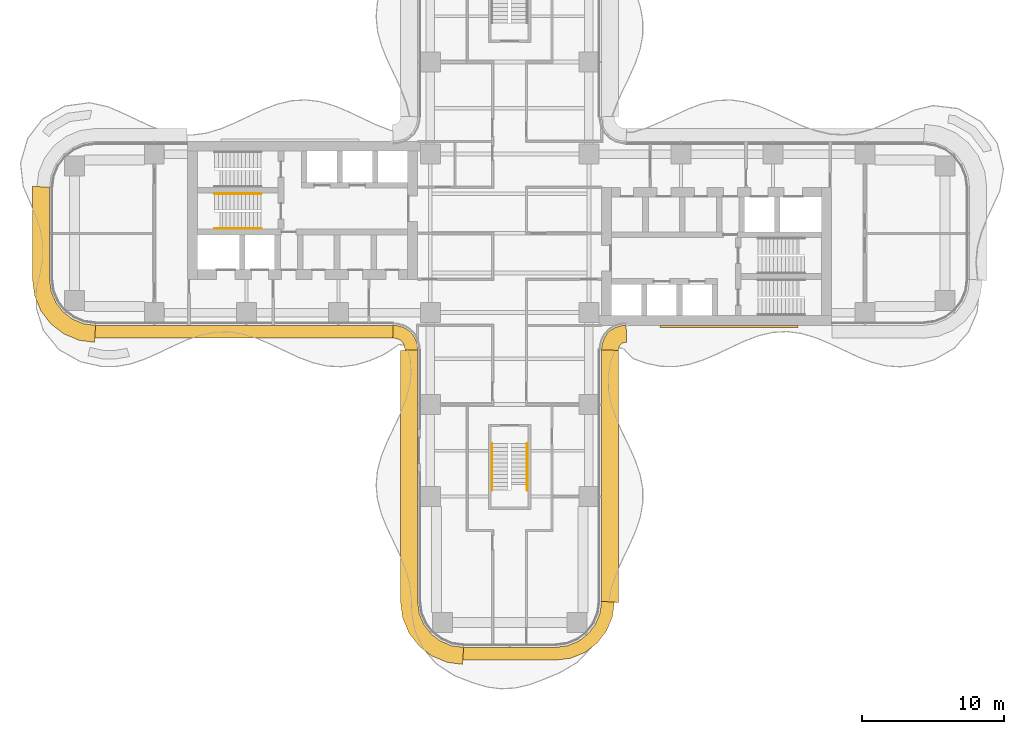
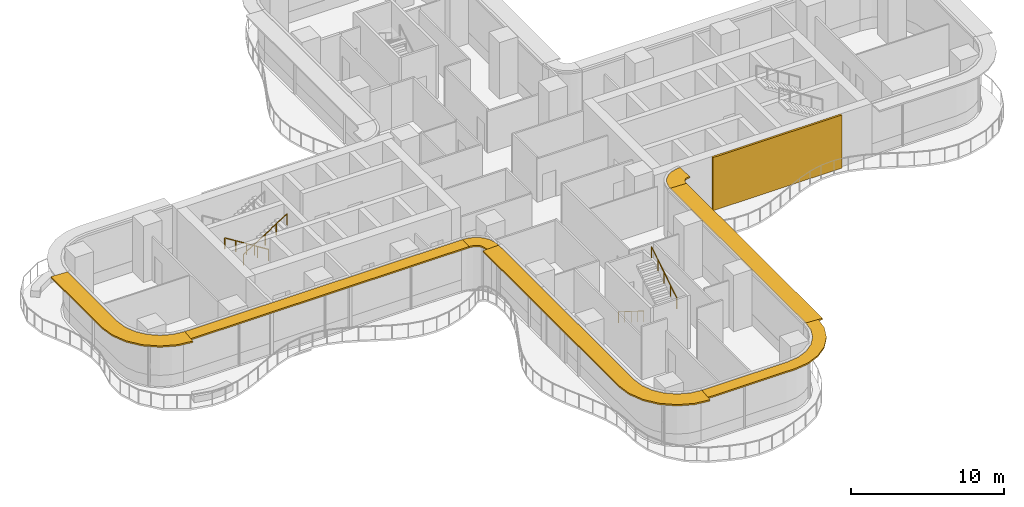
# One storey, part 21 of 22: 7 shading devices, 4 railings, 1 covering.
"""IFC4 building model written with IfcOpenShell, lengths in metres."""

from ifc_helpers import new_model, si_unit, direction, frame, origin, origin_2d, place, context, subcontext, project, spatial, polyline, circle, outline, extrude, source, transform, mapped, material, layer, layer_set, type_object, element, save


model = new_model("IFC4")

# Units and contexts
model_context = context("Model", 3, precision=1e-05, world=origin(), true_north=direction((0.0, 1.0)))
body_context = subcontext(model_context, "Body", "Model", "MODEL_VIEW")
ifc_project = project(units=[si_unit("LENGTHUNIT", "METRE"), si_unit("AREAUNIT", "SQUARE_METRE"), si_unit("VOLUMEUNIT", "CUBIC_METRE"), si_unit("PLANEANGLEUNIT", "RADIAN"), si_unit("MASSUNIT", "GRAM", prefix="KILO")], contexts=[model_context])

# Site, building, storey
site_placement = place(None, origin())
site = spatial("IfcSite", under=ifc_project, at=site_placement, CompositionType="ELEMENT")
building_placement = place(site_placement, origin())
building = spatial("IfcBuilding", under=site, at=building_placement, Name="Trellis Farm Tower", CompositionType="ELEMENT")
storey_placement = place(building_placement, frame((0.0, 0.0, 65.5)))
storey = spatial("IfcBuildingStorey", under=building, at=storey_placement, Name="L13", CompositionType="ELEMENT", Elevation=65.5)

# Railings
ifc_material_1 = material(Name="Stainless steel", Category="steel")
railing_type = type_object("IfcRailingType", Name="STAIR HANDRAIL 900", PredefinedType="HANDRAIL", material=ifc_material_1)
shared_shape_1 = source(origin(), body_context, "Body", "SweptSolid", [
    extrude(circle(Radius=0.02392578125, at=origin_2d()), frame((0.0, 0.0, 0.8759765625), z_axis=(0.0, 0.846319618018, 0.532675421018), x_axis=(-1.0, 0.0, 0.0)), (0.0, 0.0, 1.0), 3.89892578125),
    extrude(circle(Radius=0.02099609375, at=origin_2d()), origin(), (0.0, 0.0, 1.0), 0.851806640625),
    extrude(circle(Radius=0.02099609375, at=origin_2d()), frame((0.0, 0.824951171875, 0.519287109375)), (0.0, 0.0, 1.0), 0.851806640625),
    extrude(circle(Radius=0.02099609375, at=origin_2d()), frame((0.0, 1.64990234375, 1.03857421875)), (0.0, 0.0, 1.0), 0.851806640625),
    extrude(circle(Radius=0.02099609375, at=origin_2d()), frame((0.0, 2.474853515625, 1.5576171875)), (0.0, 0.0, 1.0), 0.851806640625),
    extrude(circle(Radius=0.02099609375, at=origin_2d()), frame((0.0, 3.2998046875, 2.076904296875)), (0.0, 0.0, 1.0), 0.851806640625),
])
railing_1_placement = place(storey_placement, frame((1.25, -18.14990234375, 2.423095703125)))
element("IfcRailing", 1, at=railing_1_placement, inside=storey, type_object=railing_type, Name="Stair handrail", PredefinedType="HANDRAIL", context=body_context, shape_type="MappedRepresentation", body=[
    mapped(shared_shape_1, transform((0.0, 0.0, 0.0))),
])
shared_shape_2 = source(origin(), body_context, "Body", "SweptSolid", [
    extrude(circle(Radius=0.02392578125, at=origin_2d()), frame((0.0, 0.0, 0.8759765625), z_axis=(0.0, -0.846319618018, 0.532675421018), x_axis=(1.0, 0.0, 0.0)), (0.0, 0.0, 1.0), 3.89892578125),
    extrude(circle(Radius=0.02099609375, at=origin_2d()), origin(), (0.0, 0.0, 1.0), 0.851806640625),
    extrude(circle(Radius=0.02099609375, at=origin_2d()), frame((0.0, -0.824951171875, 0.519287109375)), (0.0, 0.0, 1.0), 0.851806640625),
    extrude(circle(Radius=0.02099609375, at=origin_2d()), frame((0.0, -1.64990234375, 1.03857421875)), (0.0, 0.0, 1.0), 0.851806640625),
    extrude(circle(Radius=0.02099609375, at=origin_2d()), frame((0.0, -2.474853515625, 1.5576171875)), (0.0, 0.0, 1.0), 0.851806640625),
    extrude(circle(Radius=0.02099609375, at=origin_2d()), frame((0.0, -3.2998046875, 2.076904296875)), (0.0, 0.0, 1.0), 0.851806640625),
])
railing_2_placement = place(storey_placement, frame((-1.25, -14.85009765625, 0.173095703125)))
element("IfcRailing", 2, at=railing_2_placement, inside=storey, type_object=railing_type, Name="Stair handrail", PredefinedType="HANDRAIL", context=body_context, shape_type="MappedRepresentation", body=[
    mapped(shared_shape_2, transform((0.0, 0.0, 0.0))),
])
shared_shape_3 = source(origin(), body_context, "Body", "SweptSolid", [
    extrude(circle(Radius=0.02392578125, at=origin_2d()), frame((0.0, 0.0, 0.8759765625), z_axis=(0.846337383501, 0.0, 0.532647194011), x_axis=(0.0, 1.0, 0.0)), (0.0, 0.0, 1.0), 3.899169921875),
    extrude(circle(Radius=0.02099609375, at=origin_2d()), origin(), (0.0, 0.0, 1.0), 0.851806640625),
    extrude(circle(Radius=0.02099609375, at=origin_2d()), frame((0.824951171875, 0.0, 0.519287109375)), (0.0, 0.0, 1.0), 0.851806640625),
    extrude(circle(Radius=0.02099609375, at=origin_2d()), frame((1.64990234375, 0.0, 1.03857421875)), (0.0, 0.0, 1.0), 0.851806640625),
    extrude(circle(Radius=0.02099609375, at=origin_2d()), frame((2.47509765625, 0.0, 1.5576171875)), (0.0, 0.0, 1.0), 0.851806640625),
    extrude(circle(Radius=0.02099609375, at=origin_2d()), frame((3.300048828125, 0.0, 2.076904296875)), (0.0, 0.0, 1.0), 0.851806640625),
])
railing_3_placement = place(storey_placement, frame((-20.85009765625, 0.35009765625, 2.423095703125)))
element("IfcRailing", 3, at=railing_3_placement, inside=storey, type_object=railing_type, Name="Stair handrail", PredefinedType="HANDRAIL", context=body_context, shape_type="MappedRepresentation", body=[
    mapped(shared_shape_3, transform((0.0, 0.0, 0.0))),
])
shared_shape_4 = source(origin(), body_context, "Body", "SweptSolid", [
    extrude(circle(Radius=0.02392578125, at=origin_2d()), frame((0.0, 0.0, 0.8759765625), z_axis=(-0.846337383501, 0.0, 0.532647194011), x_axis=(0.0, -1.0, 0.0)), (0.0, 0.0, 1.0), 3.899169921875),
    extrude(circle(Radius=0.02099609375, at=origin_2d()), origin(), (0.0, 0.0, 1.0), 0.851806640625),
    extrude(circle(Radius=0.02099609375, at=origin_2d()), frame((-0.824951171875, 0.0, 0.519287109375)), (0.0, 0.0, 1.0), 0.851806640625),
    extrude(circle(Radius=0.02099609375, at=origin_2d()), frame((-1.64990234375, 0.0, 1.03857421875)), (0.0, 0.0, 1.0), 0.851806640625),
    extrude(circle(Radius=0.02099609375, at=origin_2d()), frame((-2.47509765625, 0.0, 1.5576171875)), (0.0, 0.0, 1.0), 0.851806640625),
    extrude(circle(Radius=0.02099609375, at=origin_2d()), frame((-3.300048828125, 0.0, 2.076904296875)), (0.0, 0.0, 1.0), 0.851806640625),
])
railing_4_placement = place(storey_placement, frame((-17.550048828125, 2.800048828125, 0.173095703125)))
element("IfcRailing", 4, at=railing_4_placement, inside=storey, type_object=railing_type, Name="Stair handrail", PredefinedType="HANDRAIL", context=body_context, shape_type="MappedRepresentation", body=[
    mapped(shared_shape_4, transform((0.0, 0.0, 0.0))),
])

# Shading devices
ifc_material_2 = material(Name="Aluminium extrusion 6063-T6", Category="aluminium")
ifc_layer_1 = layer(ifc_material_2, 0.1201171875)
ifc_layer_set_1 = layer_set([ifc_layer_1], Name="SUNSHADE BLADE 900")
shading_device_type_1 = type_object("IfcShadingDeviceType", Name="SUNSHADE BLADE 900", PredefinedType="USERDEFINED", material=ifc_layer_set_1)
shared_shape_5 = source(origin(), body_context, "Body", "SweptSolid", [
    extrude(outline(polyline([(-29.30908203125, -7.39990234375), (-8.2607421875, -7.39990234375), (-8.2314453125, -6.5), (-29.25, -6.5), (-29.30908203125, -7.39990234375)])), origin(), (0.0, 0.0, 1.0), 0.119873046875),
])
placement = place(storey_placement, frame((0.0, 0.0, 4.090087890625)))
element("IfcShadingDevice", 5, at=placement, inside=storey, type_object=shading_device_type_1, Name="SD1 001", ObjectType="SUNSHADE", PredefinedType="USERDEFINED", context=body_context, shape_type="MappedRepresentation", body=[
    mapped(shared_shape_5, transform((0.0, 0.0, 0.0))),
])
shared_shape_6 = source(origin(), body_context, "Body", "SweptSolid", [
    extrude(outline(polyline([(-8.2607421875, -7.39990234375), (-8.107666015625, -7.409912109375), (-8.091552734375, -7.412109375), (-7.85595703125, -7.475341796875), (-7.697021484375, -7.567138671875), (-7.567138671875, -7.697021484375), (-7.475341796875, -7.85595703125), (-7.412109375, -8.091552734375), (-7.409912109375, -8.107666015625), (-7.39990234375, -8.2607421875), (-6.5, -8.2314453125), (-6.513916015625, -8.01953125), (-6.527587890625, -7.91552734375), (-6.63671875, -7.508544921875), (-6.846923828125, -7.144287109375), (-7.144287109375, -6.846923828125), (-7.508544921875, -6.63671875), (-7.91552734375, -6.527587890625), (-8.01953125, -6.513916015625), (-8.2314453125, -6.5), (-8.2607421875, -7.39990234375)])), origin(), (0.0, 0.0, 1.0), 0.119873046875),
])
element("IfcShadingDevice", 6, at=placement, inside=storey, type_object=shading_device_type_1, Name="SD1 002", ObjectType="SUNSHADE", PredefinedType="USERDEFINED", context=body_context, shape_type="MappedRepresentation", body=[
    mapped(shared_shape_6, transform((0.0, 0.0, 0.0))),
])
ifc_layer_2 = layer(ifc_material_2, 0.1201171875)
ifc_layer_set_2 = layer_set([ifc_layer_2], Name="SUNSHADE BLADE 1200")
shading_device_type_2 = type_object("IfcShadingDeviceType", Name="SUNSHADE BLADE 1200", PredefinedType="USERDEFINED", material=ifc_layer_set_2)
shared_shape_7 = source(origin(), body_context, "Body", "SweptSolid", [
    extrude(outline(polyline([(-7.699951171875, -8.270751953125), (-7.699951171875, -26.07861328125), (-7.558349609375, -27.154541015625), (-7.11279296875, -28.230224609375), (-6.404052734375, -29.154052734375), (-5.480224609375, -29.86279296875), (-4.404541015625, -30.308349609375), (-3.32861328125, -30.449951171875), (-3.25, -29.25), (-4.091064453125, -29.13916015625), (-4.875, -28.814697265625), (-5.548095703125, -28.298095703125), (-6.064697265625, -27.625), (-6.38916015625, -26.841064453125), (-6.5, -26.0), (-6.5, -8.2314453125), (-7.699951171875, -8.270751953125)])), origin(), (0.0, 0.0, 1.0), 0.119873046875),
])
element("IfcShadingDevice", 7, at=placement, inside=storey, type_object=shading_device_type_2, Name="SD2 003", ObjectType="SUNSHADE", PredefinedType="USERDEFINED", context=body_context, shape_type="MappedRepresentation", body=[
    mapped(shared_shape_7, transform((0.0, 0.0, 0.0))),
])
shared_shape_8 = source(origin(), body_context, "Body", "SweptSolid", [
    extrude(outline(polyline([(-3.30908203125, -30.14990234375), (3.30908203125, -30.14990234375), (4.326171875, -30.01611328125), (5.328857421875, -29.600830078125), (6.18994140625, -28.93994140625), (6.850830078125, -28.078857421875), (7.26611328125, -27.076171875), (7.39990234375, -26.05908203125), (6.5, -26.0), (6.38916015625, -26.841064453125), (6.064697265625, -27.625), (5.548095703125, -28.298095703125), (4.875, -28.814697265625), (4.091064453125, -29.13916015625), (3.25, -29.25), (-3.25, -29.25), (-3.30908203125, -30.14990234375)])), origin(), (0.0, 0.0, 1.0), 0.119873046875),
])
element("IfcShadingDevice", 8, at=placement, inside=storey, type_object=shading_device_type_1, Name="SD1 004", ObjectType="SUNSHADE", PredefinedType="USERDEFINED", context=body_context, shape_type="MappedRepresentation", body=[
    mapped(shared_shape_8, transform((0.0, 0.0, 0.0))),
])
shared_shape_9 = source(origin(), body_context, "Body", "SweptSolid", [
    extrude(outline(polyline([(7.699951171875, -26.07861328125), (7.699951171875, -8.270751953125), (6.5, -8.2314453125), (6.5, -26.0), (7.699951171875, -26.07861328125)])), origin(), (0.0, 0.0, 1.0), 0.119873046875),
])
element("IfcShadingDevice", 9, at=placement, inside=storey, type_object=shading_device_type_2, Name="SD2 005", ObjectType="SUNSHADE", PredefinedType="USERDEFINED", context=body_context, shape_type="MappedRepresentation", body=[
    mapped(shared_shape_9, transform((0.0, 0.0, 0.0))),
])
shared_shape_10 = source(origin(), body_context, "Body", "SweptSolid", [
    extrude(outline(polyline([(7.699951171875, -8.270751953125), (7.708740234375, -8.13720703125), (7.70703125, -8.150146484375), (7.7548828125, -7.9716796875), (7.80712890625, -7.881103515625), (7.881103515625, -7.80712890625), (7.9716796875, -7.7548828125), (8.150146484375, -7.70703125), (8.13720703125, -7.708740234375), (8.270751953125, -7.699951171875), (8.2314453125, -6.5), (8.01953125, -6.513916015625), (7.91552734375, -6.527587890625), (7.508544921875, -6.63671875), (7.144287109375, -6.846923828125), (6.846923828125, -7.144287109375), (6.63671875, -7.508544921875), (6.527587890625, -7.91552734375), (6.513916015625, -8.01953125), (6.5, -8.2314453125), (7.699951171875, -8.270751953125)])), origin(), (0.0, 0.0, 1.0), 0.119873046875),
])
element("IfcShadingDevice", 10, at=placement, inside=storey, type_object=shading_device_type_2, Name="SD2 006", ObjectType="SUNSHADE", PredefinedType="USERDEFINED", context=body_context, shape_type="MappedRepresentation", body=[
    mapped(shared_shape_10, transform((0.0, 0.0, 0.0))),
])
shared_shape_11 = source(origin(), body_context, "Body", "SweptSolid", [
    extrude(outline(polyline([(-33.699951171875, 3.32861328125), (-33.699951171875, -3.32861328125), (-33.558349609375, -4.404541015625), (-33.11279296875, -5.480224609375), (-32.404052734375, -6.404052734375), (-31.480224609375, -7.11279296875), (-30.404541015625, -7.558349609375), (-29.32861328125, -7.699951171875), (-29.25, -6.5), (-30.091064453125, -6.38916015625), (-30.875, -6.064697265625), (-31.548095703125, -5.548095703125), (-32.064697265625, -4.875), (-32.38916015625, -4.091064453125), (-32.5, -3.25), (-32.5, 3.25), (-33.699951171875, 3.32861328125)])), origin(), (0.0, 0.0, 1.0), 0.119873046875),
])
element("IfcShadingDevice", 11, at=placement, inside=storey, type_object=shading_device_type_2, Name="SD2 016", ObjectType="SUNSHADE", PredefinedType="USERDEFINED", context=body_context, shape_type="MappedRepresentation", body=[
    mapped(shared_shape_11, transform((0.0, 0.0, 0.0))),
])

# Covering
ifc_material_3 = material(Name="Perforated precast screen (cobogo)", Category="concrete")
ifc_layer_3 = layer(ifc_material_3, 0.14990234375)
ifc_layer_set_3 = layer_set([ifc_layer_3], Name="COBOGO SCREEN PANEL")
covering_type = type_object("IfcCoveringType", Name="COBOGO SCREEN PANEL", PredefinedType="USERDEFINED", material=ifc_layer_set_3)
shared_shape_12 = source(origin(), body_context, "Body", "SweptSolid", [
    extrude(outline(polyline([(10.630615234375, -6.64990234375), (20.380615234375, -6.64990234375), (20.380615234375, -6.5), (10.630615234375, -6.5), (10.630615234375, -6.64990234375)])), origin(), (0.0, 0.0, 1.0), 4.25),
])
covering_placement = place(storey_placement, origin())
element("IfcCovering", 12, at=covering_placement, inside=storey, type_object=covering_type, Name="SC1 01", ObjectType="SCREEN", PredefinedType="USERDEFINED", context=body_context, shape_type="MappedRepresentation", body=[
    mapped(shared_shape_12, transform((0.0, 0.0, 0.0))),
])

save(model, "model.ifc")
